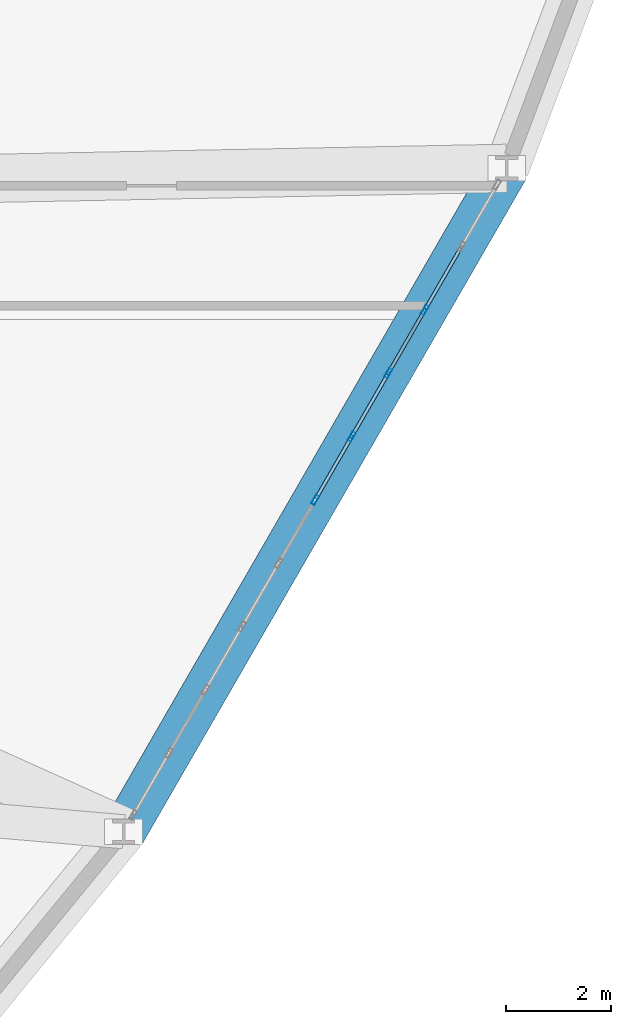
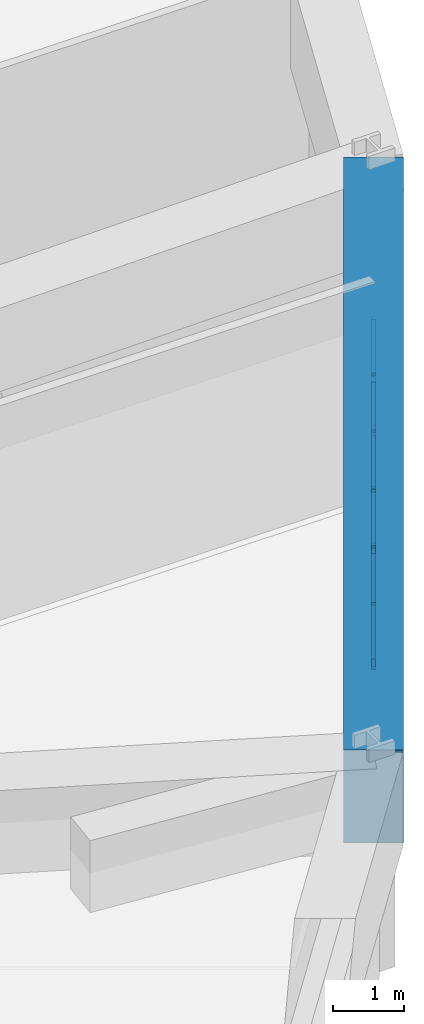
# One storey, part 7 of 18: 13 members, 1 beam, 1 element without a shape of its own.
"""IFC4 building model written with IfcOpenShell, lengths in metres."""

from ifc_helpers import new_model, si_unit, derived_unit, direction, frame, origin, origin_2d, place, context, subcontext, project, spatial, rectangle, hollow_rectangle, extrude, source, transform, mapped, material, layer, layer_set, material_profile, profile_set, type_object, element, aggregate, save


model = new_model("IFC4")

# Units and contexts
model_context = context("Model", 3, precision=1e-05, world=origin(), true_north=direction((0.0, 1.0)))
body_context = subcontext(model_context, "Body", "Model", "MODEL_VIEW")
ifc_project = project(units=[si_unit("LENGTHUNIT", "METRE"), si_unit("AREAUNIT", "SQUARE_METRE"), si_unit("VOLUMEUNIT", "CUBIC_METRE"), si_unit("PLANEANGLEUNIT", "RADIAN"), si_unit("MASSUNIT", "GRAM", prefix="KILO"), derived_unit("THERMALTRANSMITTANCEUNIT", [(si_unit("POWERUNIT", "WATT"), 1), (si_unit("LENGTHUNIT", "METRE"), -2), (si_unit("THERMODYNAMICTEMPERATUREUNIT", "KELVIN"), -1)])], contexts=[model_context])

# Site, building, storey
site_placement = place(None, origin())
site = spatial("IfcSite", under=ifc_project, at=site_placement, CompositionType="ELEMENT")
building_placement = place(site_placement, origin())
building = spatial("IfcBuilding", under=site, at=building_placement, Name="Korsvarv Bourse and Concert Hall", CompositionType="ELEMENT")
storey_placement = place(building_placement, frame((0.0, 0.0, 95.10009765625)))
storey = spatial("IfcBuildingStorey", under=building, at=storey_placement, Name="L23", CompositionType="ELEMENT", Elevation=95.10009765625)

# Beam
ifc_material_1 = material(Name="Concrete C55/67", Category="concrete")
ifc_material_profile_1 = material_profile(ifc_material_1, rectangle(XDim=0.85009765625, YDim=1.60009765625, at=origin_2d()), Name="RC-BM 850x1600")
ifc_profile_set_1 = profile_set([ifc_material_profile_1], Name="Concrete C55/67")
beam_type = type_object("IfcBeamType", Name="BM-TR1B", PredefinedType="BEAM", material=ifc_profile_set_1)
shared_shape_1 = source(origin(), body_context, "Body", "SweptSolid", [
    extrude(rectangle(XDim=0.85009765625, YDim=1.60009765625, at=origin_2d()), origin(), (0.0, 0.0, 1.0), 14.6181640625),
])
beam_placement = place(storey_placement, frame((53.309814453125, 19.9912109375, 2.869873046875), z_axis=(0.500000991318, 0.866024831446, 0.0), x_axis=(-0.866024831446, 0.500000991318, 0.0)))
element("IfcBeam", 1, at=beam_placement, inside=storey, type_object=beam_type, Name="L23 beam B-TR2", PredefinedType="BEAM", context=body_context, shape_type="MappedRepresentation", body=[
    mapped(shared_shape_1, transform((0.0, 0.0, 0.0), scale=1.0)),
])

# Curtain wall, members
ifc_material_2 = material(Name="Anodised aluminium and triple low-E glazing", Category="glass")
ifc_layer = layer(ifc_material_2, 0.219970703125)
ifc_layer_set = layer_set([ifc_layer], Name="Anodised aluminium and triple low-E glazing")
curtain_wall_type = type_object("IfcCurtainWallType", Name="CW-SYS-1", PredefinedType="NOTDEFINED", material=ifc_layer_set)
curtain_wall_placement = place(storey_placement, origin())
curtain_wall = element("IfcCurtainWall", 2, at=curtain_wall_placement, inside=storey, type_object=curtain_wall_type, Name="L23 CW1 curtain wall CW-L23-F11", PredefinedType="NOTDEFINED")
ifc_material_3 = material(Name="Extruded aluminium EN AW-6063 T66", Category="aluminium")
ifc_material_profile_2 = material_profile(ifc_material_3, hollow_rectangle(XDim=0.070068359375, YDim=0.18994140625, WallThickness=0.0048828125, at=origin_2d()), Name="ALU-M 70x190")
ifc_profile_set_2 = profile_set([ifc_material_profile_2], Name="Extruded aluminium EN AW-6063 T66")
member_type_1 = type_object("IfcMemberType", Name="CWM-190", PredefinedType="MULLION", material=ifc_profile_set_2)
shared_shape_2 = source(origin(), body_context, "Body", "SweptSolid", [
    extrude(hollow_rectangle(XDim=0.070068359375, YDim=0.18994140625, WallThickness=0.0048828125, at=origin_2d()), origin(), (0.0, 0.0, 1.0), 2.06982421875),
])
member_1_placement = place(storey_placement, frame((56.96435546875, 26.321044921875, 0.0), z_axis=(0.0, 0.0, 1.0), x_axis=(-0.8660261613, 0.499998687942, 0.0)))
member_1 = element("IfcMember", 3, at=member_1_placement, type_object=member_type_1, Name="CW1 mullion 6", PredefinedType="MULLION", context=body_context, shape_type="MappedRepresentation", body=[
    mapped(shared_shape_2, transform((0.0, 0.0, 0.0), scale=1.0)),
])
member_2_placement = place(storey_placement, frame((57.662109375, 27.529541015625, 0.0), z_axis=(0.0, 0.0, 1.0), x_axis=(-0.8660261613, 0.499998687942, 0.0)))
member_2 = element("IfcMember", 4, at=member_2_placement, type_object=member_type_1, Name="CW1 mullion 7", PredefinedType="MULLION", context=body_context, shape_type="MappedRepresentation", body=[
    mapped(shared_shape_2, transform((0.0, 0.0, 0.0), scale=1.0)),
])
member_3_placement = place(storey_placement, frame((58.35986328125, 28.73828125, 0.0), z_axis=(0.0, 0.0, 1.0), x_axis=(-0.8660261613, 0.499998687942, 0.0)))
member_3 = element("IfcMember", 5, at=member_3_placement, type_object=member_type_1, Name="CW1 mullion 8", PredefinedType="MULLION", context=body_context, shape_type="MappedRepresentation", body=[
    mapped(shared_shape_2, transform((0.0, 0.0, 0.0), scale=1.0)),
])
member_4_placement = place(storey_placement, frame((59.0576171875, 29.94677734375, 0.0), z_axis=(0.0, 0.0, 1.0), x_axis=(-0.8660261613, 0.499998687942, 0.0)))
member_4 = element("IfcMember", 6, at=member_4_placement, type_object=member_type_1, Name="CW1 mullion 9", PredefinedType="MULLION", context=body_context, shape_type="MappedRepresentation", body=[
    mapped(shared_shape_2, transform((0.0, 0.0, 0.0), scale=1.0)),
])
ifc_material_profile_3 = material_profile(ifc_material_3, hollow_rectangle(XDim=0.06494140625, YDim=0.1650390625, WallThickness=0.0048828125, at=origin_2d()), Name="ALU-M 65x165")
ifc_profile_set_3 = profile_set([ifc_material_profile_3], Name="Extruded aluminium EN AW-6063 T66")
member_type_2 = type_object("IfcMemberType", Name="CWM-165", PredefinedType="MULLION", material=ifc_profile_set_3)
shared_shape_3 = source(origin(), body_context, "Body", "SweptSolid", [
    extrude(hollow_rectangle(XDim=0.06494140625, YDim=0.1650390625, WallThickness=0.0048828125, at=origin_2d()), origin(), (0.0, 0.0, 1.0), 2.349609375),
])
member_5_placement = place(storey_placement, frame((58.37744140625, 28.7685546875, 0.06494140625), z_axis=(0.282110934177, 0.488576652854, 0.825655058183), x_axis=(-0.866001554487, 0.500041305919, 0.0)))
member_5 = element("IfcMember", 7, at=member_5_placement, type_object=member_type_2, Name="CW1 diagonal mullion 8", PredefinedType="MULLION", context=body_context, shape_type="MappedRepresentation", body=[
    mapped(shared_shape_3, transform((0.0, 0.0, 0.0), scale=1.0)),
])
ifc_material_profile_4 = material_profile(ifc_material_3, hollow_rectangle(XDim=0.06494140625, YDim=0.139892578125, WallThickness=0.00390625, at=origin_2d()), Name="ALU-T 65x140")
ifc_profile_set_4 = profile_set([ifc_material_profile_4], Name="Extruded aluminium EN AW-6063 T66")
member_type_3 = type_object("IfcMemberType", Name="CWT-140", PredefinedType="USERDEFINED", material=ifc_profile_set_4)
shared_shape_4 = source(origin(), body_context, "Body", "SweptSolid", [
    extrude(hollow_rectangle(XDim=0.06494140625, YDim=0.139892578125, WallThickness=0.00390625, at=origin_2d()), origin(), (0.0, 0.0, 1.0), 1.32568359375),
])
member_6_placement = place(storey_placement, frame((56.98193359375, 26.351318359375, 0.032470703125), z_axis=(0.500041305919, 0.866001554487, 0.0), x_axis=(-0.866001554487, 0.500041305919, 0.0)))
member_6 = element("IfcMember", 8, at=member_6_placement, type_object=member_type_3, Name="CW1 transom 6.1", ObjectType="TRANSOM", PredefinedType="USERDEFINED", context=body_context, shape_type="MappedRepresentation", body=[
    mapped(shared_shape_4, transform((0.0, 0.0, 0.0), scale=1.0)),
])
member_7_placement = place(storey_placement, frame((56.98193359375, 26.351318359375, 2.037353515625), z_axis=(0.500041305919, 0.866001554487, 0.0), x_axis=(-0.866001554487, 0.500041305919, 0.0)))
member_7 = element("IfcMember", 9, at=member_7_placement, type_object=member_type_3, Name="CW1 transom 6.2", ObjectType="TRANSOM", PredefinedType="USERDEFINED", context=body_context, shape_type="MappedRepresentation", body=[
    mapped(shared_shape_4, transform((0.0, 0.0, 0.0), scale=1.0)),
])
member_8_placement = place(storey_placement, frame((57.6796875, 27.56005859375, 0.032470703125), z_axis=(0.500041305919, 0.866001554487, 0.0), x_axis=(-0.866001554487, 0.500041305919, 0.0)))
member_8 = element("IfcMember", 10, at=member_8_placement, type_object=member_type_3, Name="CW1 transom 7.1", ObjectType="TRANSOM", PredefinedType="USERDEFINED", context=body_context, shape_type="MappedRepresentation", body=[
    mapped(shared_shape_4, transform((0.0, 0.0, 0.0), scale=1.0)),
])
member_9_placement = place(storey_placement, frame((57.6796875, 27.56005859375, 2.037353515625), z_axis=(0.500041305919, 0.866001554487, 0.0), x_axis=(-0.866001554487, 0.500041305919, 0.0)))
member_9 = element("IfcMember", 11, at=member_9_placement, type_object=member_type_3, Name="CW1 transom 7.2", ObjectType="TRANSOM", PredefinedType="USERDEFINED", context=body_context, shape_type="MappedRepresentation", body=[
    mapped(shared_shape_4, transform((0.0, 0.0, 0.0), scale=1.0)),
])
member_10_placement = place(storey_placement, frame((58.37744140625, 28.7685546875, 0.032470703125), z_axis=(0.500041305919, 0.866001554487, 0.0), x_axis=(-0.866001554487, 0.500041305919, 0.0)))
member_10 = element("IfcMember", 12, at=member_10_placement, type_object=member_type_3, Name="CW1 transom 8.1", ObjectType="TRANSOM", PredefinedType="USERDEFINED", context=body_context, shape_type="MappedRepresentation", body=[
    mapped(shared_shape_4, transform((0.0, 0.0, 0.0), scale=1.0)),
])
member_11_placement = place(storey_placement, frame((58.37744140625, 28.7685546875, 2.037353515625), z_axis=(0.500041305919, 0.866001554487, 0.0), x_axis=(-0.866001554487, 0.500041305919, 0.0)))
member_11 = element("IfcMember", 13, at=member_11_placement, type_object=member_type_3, Name="CW1 transom 8.2", ObjectType="TRANSOM", PredefinedType="USERDEFINED", context=body_context, shape_type="MappedRepresentation", body=[
    mapped(shared_shape_4, transform((0.0, 0.0, 0.0), scale=1.0)),
])
member_12_placement = place(storey_placement, frame((59.0751953125, 29.97705078125, 0.032470703125), z_axis=(0.500041305919, 0.866001554487, 0.0), x_axis=(-0.866001554487, 0.500041305919, 0.0)))
member_12 = element("IfcMember", 14, at=member_12_placement, type_object=member_type_3, Name="CW1 transom 9.1", ObjectType="TRANSOM", PredefinedType="USERDEFINED", context=body_context, shape_type="MappedRepresentation", body=[
    mapped(shared_shape_4, transform((0.0, 0.0, 0.0), scale=1.0)),
])
member_13_placement = place(storey_placement, frame((59.0751953125, 29.97705078125, 2.037353515625), z_axis=(0.500041305919, 0.866001554487, 0.0), x_axis=(-0.866001554487, 0.500041305919, 0.0)))
member_13 = element("IfcMember", 15, at=member_13_placement, type_object=member_type_3, Name="CW1 transom 9.2", ObjectType="TRANSOM", PredefinedType="USERDEFINED", context=body_context, shape_type="MappedRepresentation", body=[
    mapped(shared_shape_4, transform((0.0, 0.0, 0.0), scale=1.0)),
])
aggregate(curtain_wall, [member_1, member_2, member_3, member_4, member_6, member_7, member_8, member_9, member_10, member_11, member_5, member_12, member_13])

save(model, "model.ifc")
